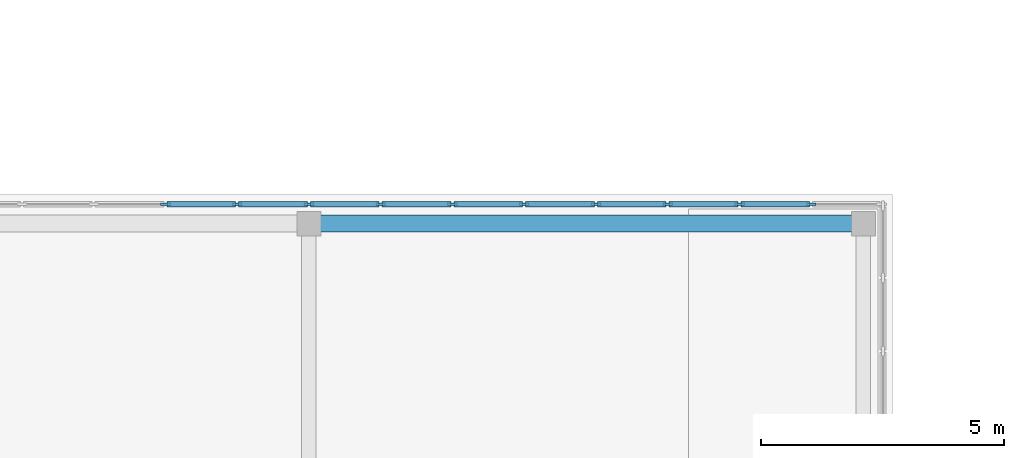
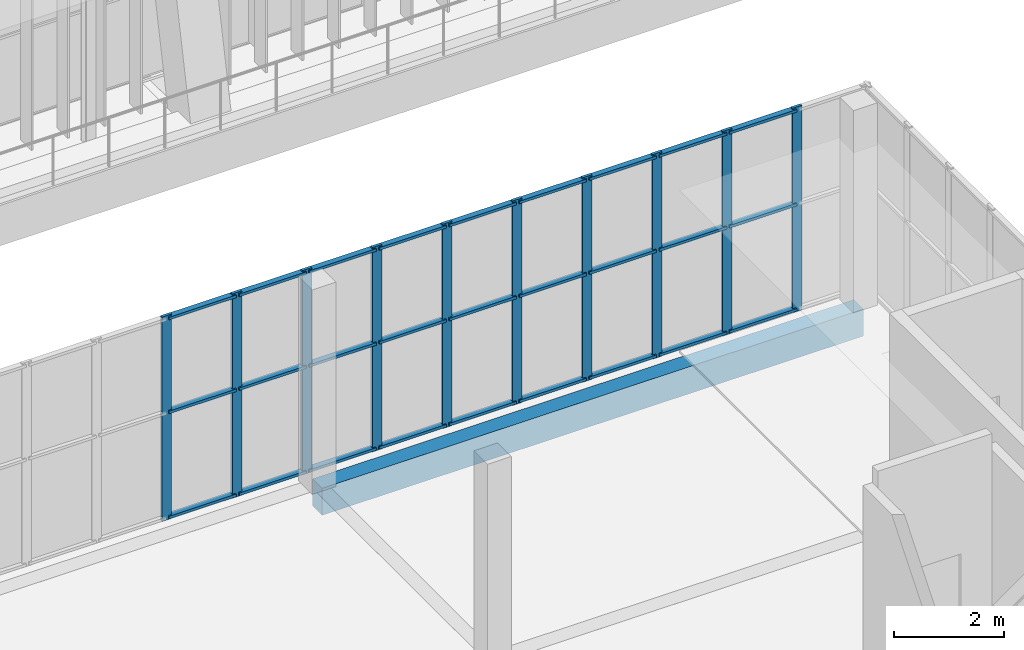
# One storey, part 28 of 92: 37 members, 1 beam, 1 element without a shape of its own.
"""IFC4 building model written with IfcOpenShell, lengths in metres."""

from ifc_helpers import new_model, si_unit, direction, frame, origin, origin_2d, place, context, subcontext, project, spatial, rectangle, extrude, material, layer, layer_set, material_profile, profile_set, type_object, element, aggregate, save


model = new_model("IFC4")

# Units and contexts
model_context = context("Model", 3, precision=1e-05, world=origin(), true_north=direction((0.0, 1.0)))
body_context = subcontext(model_context, "Body", "Model", "MODEL_VIEW")
ifc_project = project(units=[si_unit("LENGTHUNIT", "METRE"), si_unit("AREAUNIT", "SQUARE_METRE"), si_unit("VOLUMEUNIT", "CUBIC_METRE"), si_unit("PLANEANGLEUNIT", "RADIAN"), si_unit("MASSUNIT", "GRAM", prefix="KILO")], contexts=[model_context])

# Site, building, storey
site_placement = place(None, origin())
site = spatial("IfcSite", under=ifc_project, at=site_placement, CompositionType="ELEMENT")
building_placement = place(site_placement, origin())
building = spatial("IfcBuilding", under=site, at=building_placement, Name="Lantern Court Media Centre", CompositionType="ELEMENT")
storey_placement = place(building_placement, frame((0.0, 0.0, 4.800048828125)))
storey = spatial("IfcBuildingStorey", under=building, at=storey_placement, Name="L01", CompositionType="ELEMENT", Elevation=4.800048828125)

# Curtain wall, members
ifc_material_1 = material(Name="Aluminium and glass", Category="aluminium")
ifc_layer = layer(ifc_material_1, 0.14990234375)
ifc_layer_set = layer_set([ifc_layer], Name="Aluminium and glass")
curtain_wall_type = type_object("IfcCurtainWallType", Name="Hall lancet glazing", PredefinedType="NOTDEFINED", material=ifc_layer_set)
curtain_wall_placement = place(storey_placement, origin())
curtain_wall = element("IfcCurtainWall", 1, at=curtain_wall_placement, inside=storey, type_object=curtain_wall_type, Name="Press box glazing N 3", PredefinedType="NOTDEFINED")
ifc_material_2 = material(Name="Aluminium, anodised", Category="aluminium")
ifc_material_profile_1 = material_profile(ifc_material_2, rectangle(XDim=0.06005859375, YDim=0.199951171875, at=origin_2d()), Name="HM")
ifc_profile_set_1 = profile_set([ifc_material_profile_1], Name="Aluminium, anodised")
member_type_1 = type_object("IfcMemberType", Name="HM", PredefinedType="MULLION", material=ifc_profile_set_1)
member_1_placement = place(storey_placement, frame((49.050048828125, 86.800048828125, 0.0), z_axis=(0.0, 0.0, 1.0), x_axis=(0.0, 1.0, 0.0)))
member_1 = element("IfcMember", 2, at=member_1_placement, type_object=member_type_1, Name="HCW-PN3 mullion 7", PredefinedType="MULLION", context=body_context, shape_type="SweptSolid", body=[
    extrude(rectangle(XDim=0.06005859375, YDim=0.199951171875, at=origin_2d()), origin(), (0.0, 0.0, 1.0), 4.550048828125),
])
member_2_placement = place(storey_placement, frame((50.52490234375, 86.800048828125, 0.0), z_axis=(0.0, 0.0, 1.0), x_axis=(0.0, 1.0, 0.0)))
member_2 = element("IfcMember", 3, at=member_2_placement, type_object=member_type_1, Name="HCW-PN3 mullion 8", PredefinedType="MULLION", context=body_context, shape_type="SweptSolid", body=[
    extrude(rectangle(XDim=0.06005859375, YDim=0.199951171875, at=origin_2d()), origin(), (0.0, 0.0, 1.0), 4.550048828125),
])
member_3_placement = place(storey_placement, frame((52.0, 86.800048828125, 0.0), z_axis=(0.0, 0.0, 1.0), x_axis=(0.0, 1.0, 0.0)))
member_3 = element("IfcMember", 4, at=member_3_placement, type_object=member_type_1, Name="HCW-PN3 mullion 9", PredefinedType="MULLION", context=body_context, shape_type="SweptSolid", body=[
    extrude(rectangle(XDim=0.06005859375, YDim=0.199951171875, at=origin_2d()), origin(), (0.0, 0.0, 1.0), 4.550048828125),
])
member_4_placement = place(storey_placement, frame((53.47509765625, 86.800048828125, 0.0), z_axis=(0.0, 0.0, 1.0), x_axis=(0.0, 1.0, 0.0)))
member_4 = element("IfcMember", 5, at=member_4_placement, type_object=member_type_1, Name="HCW-PN3 mullion 10", PredefinedType="MULLION", context=body_context, shape_type="SweptSolid", body=[
    extrude(rectangle(XDim=0.06005859375, YDim=0.199951171875, at=origin_2d()), origin(), (0.0, 0.0, 1.0), 4.550048828125),
])
member_5_placement = place(storey_placement, frame((54.949951171875, 86.800048828125, 0.0), z_axis=(0.0, 0.0, 1.0), x_axis=(0.0, 1.0, 0.0)))
member_5 = element("IfcMember", 6, at=member_5_placement, type_object=member_type_1, Name="HCW-PN3 mullion 11", PredefinedType="MULLION", context=body_context, shape_type="SweptSolid", body=[
    extrude(rectangle(XDim=0.06005859375, YDim=0.199951171875, at=origin_2d()), origin(), (0.0, 0.0, 1.0), 4.550048828125),
])
member_6_placement = place(storey_placement, frame((56.425048828125, 86.800048828125, 0.0), z_axis=(0.0, 0.0, 1.0), x_axis=(0.0, 1.0, 0.0)))
member_6 = element("IfcMember", 7, at=member_6_placement, type_object=member_type_1, Name="HCW-PN3 mullion 12", PredefinedType="MULLION", context=body_context, shape_type="SweptSolid", body=[
    extrude(rectangle(XDim=0.06005859375, YDim=0.199951171875, at=origin_2d()), origin(), (0.0, 0.0, 1.0), 4.550048828125),
])
member_7_placement = place(storey_placement, frame((57.89990234375, 86.800048828125, 0.0), z_axis=(0.0, 0.0, 1.0), x_axis=(0.0, 1.0, 0.0)))
member_7 = element("IfcMember", 8, at=member_7_placement, type_object=member_type_1, Name="HCW-PN3 mullion 13", PredefinedType="MULLION", context=body_context, shape_type="SweptSolid", body=[
    extrude(rectangle(XDim=0.06005859375, YDim=0.199951171875, at=origin_2d()), origin(), (0.0, 0.0, 1.0), 4.550048828125),
])
member_8_placement = place(storey_placement, frame((59.375, 86.800048828125, 0.0), z_axis=(0.0, 0.0, 1.0), x_axis=(0.0, 1.0, 0.0)))
member_8 = element("IfcMember", 9, at=member_8_placement, type_object=member_type_1, Name="HCW-PN3 mullion 14", PredefinedType="MULLION", context=body_context, shape_type="SweptSolid", body=[
    extrude(rectangle(XDim=0.06005859375, YDim=0.199951171875, at=origin_2d()), origin(), (0.0, 0.0, 1.0), 4.550048828125),
])
member_9_placement = place(storey_placement, frame((60.85009765625, 86.800048828125, 0.0), z_axis=(0.0, 0.0, 1.0), x_axis=(0.0, 1.0, 0.0)))
member_9 = element("IfcMember", 10, at=member_9_placement, type_object=member_type_1, Name="HCW-PN3 mullion 15", PredefinedType="MULLION", context=body_context, shape_type="SweptSolid", body=[
    extrude(rectangle(XDim=0.06005859375, YDim=0.199951171875, at=origin_2d()), origin(), (0.0, 0.0, 1.0), 4.550048828125),
])
member_10_placement = place(storey_placement, frame((62.324951171875, 86.800048828125, 0.0), z_axis=(0.0, 0.0, 1.0), x_axis=(0.0, 1.0, 0.0)))
member_10 = element("IfcMember", 11, at=member_10_placement, type_object=member_type_1, Name="HCW-PN3 mullion 16", PredefinedType="MULLION", context=body_context, shape_type="SweptSolid", body=[
    extrude(rectangle(XDim=0.06005859375, YDim=0.199951171875, at=origin_2d()), origin(), (0.0, 0.0, 1.0), 4.550048828125),
])
ifc_material_profile_2 = material_profile(ifc_material_2, rectangle(XDim=0.1201171875, YDim=0.06005859375, at=origin_2d()), Name="HT")
ifc_profile_set_2 = profile_set([ifc_material_profile_2], Name="Aluminium, anodised")
member_type_2 = type_object("IfcMemberType", Name="HT", PredefinedType="USERDEFINED", material=ifc_profile_set_2)
member_11_placement = place(storey_placement, frame((49.080078125, 86.800048828125, 0.06005859375), z_axis=(1.0, 0.0, 0.0), x_axis=(0.0, 1.0, 0.0)))
member_11 = element("IfcMember", 12, at=member_11_placement, type_object=member_type_2, Name="HCW-PN3 transom 7.1", ObjectType="TRANSOM", PredefinedType="USERDEFINED", context=body_context, shape_type="SweptSolid", body=[
    extrude(rectangle(XDim=0.1201171875, YDim=0.06005859375, at=origin_2d()), origin(), (0.0, 0.0, 1.0), 1.4150390625),
])
member_12_placement = place(storey_placement, frame((49.080078125, 86.800048828125, 2.39990234375), z_axis=(1.0, 0.0, 0.0), x_axis=(0.0, 1.0, 0.0)))
member_12 = element("IfcMember", 13, at=member_12_placement, type_object=member_type_2, Name="HCW-PN3 transom 7.2", ObjectType="TRANSOM", PredefinedType="USERDEFINED", context=body_context, shape_type="SweptSolid", body=[
    extrude(rectangle(XDim=0.1201171875, YDim=0.06005859375, at=origin_2d()), origin(), (0.0, 0.0, 1.0), 1.4150390625),
])
member_13_placement = place(storey_placement, frame((49.080078125, 86.800048828125, 4.489990234375), z_axis=(1.0, 0.0, 0.0), x_axis=(0.0, 1.0, 0.0)))
member_13 = element("IfcMember", 14, at=member_13_placement, type_object=member_type_2, Name="HCW-PN3 transom 7.3", ObjectType="TRANSOM", PredefinedType="USERDEFINED", context=body_context, shape_type="SweptSolid", body=[
    extrude(rectangle(XDim=0.1201171875, YDim=0.06005859375, at=origin_2d()), origin(), (0.0, 0.0, 1.0), 1.4150390625),
])
member_14_placement = place(storey_placement, frame((50.554931640625, 86.800048828125, 0.06005859375), z_axis=(1.0, 0.0, 0.0), x_axis=(0.0, 1.0, 0.0)))
member_14 = element("IfcMember", 15, at=member_14_placement, type_object=member_type_2, Name="HCW-PN3 transom 8.1", ObjectType="TRANSOM", PredefinedType="USERDEFINED", context=body_context, shape_type="SweptSolid", body=[
    extrude(rectangle(XDim=0.1201171875, YDim=0.06005859375, at=origin_2d()), origin(), (0.0, 0.0, 1.0), 1.4150390625),
])
member_15_placement = place(storey_placement, frame((50.554931640625, 86.800048828125, 2.39990234375), z_axis=(1.0, 0.0, 0.0), x_axis=(0.0, 1.0, 0.0)))
member_15 = element("IfcMember", 16, at=member_15_placement, type_object=member_type_2, Name="HCW-PN3 transom 8.2", ObjectType="TRANSOM", PredefinedType="USERDEFINED", context=body_context, shape_type="SweptSolid", body=[
    extrude(rectangle(XDim=0.1201171875, YDim=0.06005859375, at=origin_2d()), origin(), (0.0, 0.0, 1.0), 1.4150390625),
])
member_16_placement = place(storey_placement, frame((50.554931640625, 86.800048828125, 4.489990234375), z_axis=(1.0, 0.0, 0.0), x_axis=(0.0, 1.0, 0.0)))
member_16 = element("IfcMember", 17, at=member_16_placement, type_object=member_type_2, Name="HCW-PN3 transom 8.3", ObjectType="TRANSOM", PredefinedType="USERDEFINED", context=body_context, shape_type="SweptSolid", body=[
    extrude(rectangle(XDim=0.1201171875, YDim=0.06005859375, at=origin_2d()), origin(), (0.0, 0.0, 1.0), 1.4150390625),
])
member_17_placement = place(storey_placement, frame((52.030029296875, 86.800048828125, 0.06005859375), z_axis=(1.0, 0.0, 0.0), x_axis=(0.0, 1.0, 0.0)))
member_17 = element("IfcMember", 18, at=member_17_placement, type_object=member_type_2, Name="HCW-PN3 transom 9.1", ObjectType="TRANSOM", PredefinedType="USERDEFINED", context=body_context, shape_type="SweptSolid", body=[
    extrude(rectangle(XDim=0.1201171875, YDim=0.06005859375, at=origin_2d()), origin(), (0.0, 0.0, 1.0), 1.4150390625),
])
member_18_placement = place(storey_placement, frame((52.030029296875, 86.800048828125, 2.39990234375), z_axis=(1.0, 0.0, 0.0), x_axis=(0.0, 1.0, 0.0)))
member_18 = element("IfcMember", 19, at=member_18_placement, type_object=member_type_2, Name="HCW-PN3 transom 9.2", ObjectType="TRANSOM", PredefinedType="USERDEFINED", context=body_context, shape_type="SweptSolid", body=[
    extrude(rectangle(XDim=0.1201171875, YDim=0.06005859375, at=origin_2d()), origin(), (0.0, 0.0, 1.0), 1.4150390625),
])
member_19_placement = place(storey_placement, frame((52.030029296875, 86.800048828125, 4.489990234375), z_axis=(1.0, 0.0, 0.0), x_axis=(0.0, 1.0, 0.0)))
member_19 = element("IfcMember", 20, at=member_19_placement, type_object=member_type_2, Name="HCW-PN3 transom 9.3", ObjectType="TRANSOM", PredefinedType="USERDEFINED", context=body_context, shape_type="SweptSolid", body=[
    extrude(rectangle(XDim=0.1201171875, YDim=0.06005859375, at=origin_2d()), origin(), (0.0, 0.0, 1.0), 1.4150390625),
])
member_20_placement = place(storey_placement, frame((53.5048828125, 86.800048828125, 0.06005859375), z_axis=(1.0, 0.0, 0.0), x_axis=(0.0, 1.0, 0.0)))
member_20 = element("IfcMember", 21, at=member_20_placement, type_object=member_type_2, Name="HCW-PN3 transom 10.1", ObjectType="TRANSOM", PredefinedType="USERDEFINED", context=body_context, shape_type="SweptSolid", body=[
    extrude(rectangle(XDim=0.1201171875, YDim=0.06005859375, at=origin_2d()), origin(), (0.0, 0.0, 1.0), 1.4150390625),
])
member_21_placement = place(storey_placement, frame((53.5048828125, 86.800048828125, 2.39990234375), z_axis=(1.0, 0.0, 0.0), x_axis=(0.0, 1.0, 0.0)))
member_21 = element("IfcMember", 22, at=member_21_placement, type_object=member_type_2, Name="HCW-PN3 transom 10.2", ObjectType="TRANSOM", PredefinedType="USERDEFINED", context=body_context, shape_type="SweptSolid", body=[
    extrude(rectangle(XDim=0.1201171875, YDim=0.06005859375, at=origin_2d()), origin(), (0.0, 0.0, 1.0), 1.4150390625),
])
member_22_placement = place(storey_placement, frame((53.5048828125, 86.800048828125, 4.489990234375), z_axis=(1.0, 0.0, 0.0), x_axis=(0.0, 1.0, 0.0)))
member_22 = element("IfcMember", 23, at=member_22_placement, type_object=member_type_2, Name="HCW-PN3 transom 10.3", ObjectType="TRANSOM", PredefinedType="USERDEFINED", context=body_context, shape_type="SweptSolid", body=[
    extrude(rectangle(XDim=0.1201171875, YDim=0.06005859375, at=origin_2d()), origin(), (0.0, 0.0, 1.0), 1.4150390625),
])
member_23_placement = place(storey_placement, frame((54.97998046875, 86.800048828125, 0.06005859375), z_axis=(1.0, 0.0, 0.0), x_axis=(0.0, 1.0, 0.0)))
member_23 = element("IfcMember", 24, at=member_23_placement, type_object=member_type_2, Name="HCW-PN3 transom 11.1", ObjectType="TRANSOM", PredefinedType="USERDEFINED", context=body_context, shape_type="SweptSolid", body=[
    extrude(rectangle(XDim=0.1201171875, YDim=0.06005859375, at=origin_2d()), origin(), (0.0, 0.0, 1.0), 1.4150390625),
])
member_24_placement = place(storey_placement, frame((54.97998046875, 86.800048828125, 2.39990234375), z_axis=(1.0, 0.0, 0.0), x_axis=(0.0, 1.0, 0.0)))
member_24 = element("IfcMember", 25, at=member_24_placement, type_object=member_type_2, Name="HCW-PN3 transom 11.2", ObjectType="TRANSOM", PredefinedType="USERDEFINED", context=body_context, shape_type="SweptSolid", body=[
    extrude(rectangle(XDim=0.1201171875, YDim=0.06005859375, at=origin_2d()), origin(), (0.0, 0.0, 1.0), 1.4150390625),
])
member_25_placement = place(storey_placement, frame((54.97998046875, 86.800048828125, 4.489990234375), z_axis=(1.0, 0.0, 0.0), x_axis=(0.0, 1.0, 0.0)))
member_25 = element("IfcMember", 26, at=member_25_placement, type_object=member_type_2, Name="HCW-PN3 transom 11.3", ObjectType="TRANSOM", PredefinedType="USERDEFINED", context=body_context, shape_type="SweptSolid", body=[
    extrude(rectangle(XDim=0.1201171875, YDim=0.06005859375, at=origin_2d()), origin(), (0.0, 0.0, 1.0), 1.4150390625),
])
member_26_placement = place(storey_placement, frame((56.455078125, 86.800048828125, 0.06005859375), z_axis=(1.0, 0.0, 0.0), x_axis=(0.0, 1.0, 0.0)))
member_26 = element("IfcMember", 27, at=member_26_placement, type_object=member_type_2, Name="HCW-PN3 transom 12.1", ObjectType="TRANSOM", PredefinedType="USERDEFINED", context=body_context, shape_type="SweptSolid", body=[
    extrude(rectangle(XDim=0.1201171875, YDim=0.06005859375, at=origin_2d()), origin(), (0.0, 0.0, 1.0), 1.4150390625),
])
member_27_placement = place(storey_placement, frame((56.455078125, 86.800048828125, 2.39990234375), z_axis=(1.0, 0.0, 0.0), x_axis=(0.0, 1.0, 0.0)))
member_27 = element("IfcMember", 28, at=member_27_placement, type_object=member_type_2, Name="HCW-PN3 transom 12.2", ObjectType="TRANSOM", PredefinedType="USERDEFINED", context=body_context, shape_type="SweptSolid", body=[
    extrude(rectangle(XDim=0.1201171875, YDim=0.06005859375, at=origin_2d()), origin(), (0.0, 0.0, 1.0), 1.4150390625),
])
member_28_placement = place(storey_placement, frame((56.455078125, 86.800048828125, 4.489990234375), z_axis=(1.0, 0.0, 0.0), x_axis=(0.0, 1.0, 0.0)))
member_28 = element("IfcMember", 29, at=member_28_placement, type_object=member_type_2, Name="HCW-PN3 transom 12.3", ObjectType="TRANSOM", PredefinedType="USERDEFINED", context=body_context, shape_type="SweptSolid", body=[
    extrude(rectangle(XDim=0.1201171875, YDim=0.06005859375, at=origin_2d()), origin(), (0.0, 0.0, 1.0), 1.4150390625),
])
member_29_placement = place(storey_placement, frame((57.929931640625, 86.800048828125, 0.06005859375), z_axis=(1.0, 0.0, 0.0), x_axis=(0.0, 1.0, 0.0)))
member_29 = element("IfcMember", 30, at=member_29_placement, type_object=member_type_2, Name="HCW-PN3 transom 13.1", ObjectType="TRANSOM", PredefinedType="USERDEFINED", context=body_context, shape_type="SweptSolid", body=[
    extrude(rectangle(XDim=0.1201171875, YDim=0.06005859375, at=origin_2d()), origin(), (0.0, 0.0, 1.0), 1.4150390625),
])
member_30_placement = place(storey_placement, frame((57.929931640625, 86.800048828125, 2.39990234375), z_axis=(1.0, 0.0, 0.0), x_axis=(0.0, 1.0, 0.0)))
member_30 = element("IfcMember", 31, at=member_30_placement, type_object=member_type_2, Name="HCW-PN3 transom 13.2", ObjectType="TRANSOM", PredefinedType="USERDEFINED", context=body_context, shape_type="SweptSolid", body=[
    extrude(rectangle(XDim=0.1201171875, YDim=0.06005859375, at=origin_2d()), origin(), (0.0, 0.0, 1.0), 1.4150390625),
])
member_31_placement = place(storey_placement, frame((57.929931640625, 86.800048828125, 4.489990234375), z_axis=(1.0, 0.0, 0.0), x_axis=(0.0, 1.0, 0.0)))
member_31 = element("IfcMember", 32, at=member_31_placement, type_object=member_type_2, Name="HCW-PN3 transom 13.3", ObjectType="TRANSOM", PredefinedType="USERDEFINED", context=body_context, shape_type="SweptSolid", body=[
    extrude(rectangle(XDim=0.1201171875, YDim=0.06005859375, at=origin_2d()), origin(), (0.0, 0.0, 1.0), 1.4150390625),
])
member_32_placement = place(storey_placement, frame((59.405029296875, 86.800048828125, 0.06005859375), z_axis=(1.0, 0.0, 0.0), x_axis=(0.0, 1.0, 0.0)))
member_32 = element("IfcMember", 33, at=member_32_placement, type_object=member_type_2, Name="HCW-PN3 transom 14.1", ObjectType="TRANSOM", PredefinedType="USERDEFINED", context=body_context, shape_type="SweptSolid", body=[
    extrude(rectangle(XDim=0.1201171875, YDim=0.06005859375, at=origin_2d()), origin(), (0.0, 0.0, 1.0), 1.4150390625),
])
member_33_placement = place(storey_placement, frame((59.405029296875, 86.800048828125, 2.39990234375), z_axis=(1.0, 0.0, 0.0), x_axis=(0.0, 1.0, 0.0)))
member_33 = element("IfcMember", 34, at=member_33_placement, type_object=member_type_2, Name="HCW-PN3 transom 14.2", ObjectType="TRANSOM", PredefinedType="USERDEFINED", context=body_context, shape_type="SweptSolid", body=[
    extrude(rectangle(XDim=0.1201171875, YDim=0.06005859375, at=origin_2d()), origin(), (0.0, 0.0, 1.0), 1.4150390625),
])
member_34_placement = place(storey_placement, frame((59.405029296875, 86.800048828125, 4.489990234375), z_axis=(1.0, 0.0, 0.0), x_axis=(0.0, 1.0, 0.0)))
member_34 = element("IfcMember", 35, at=member_34_placement, type_object=member_type_2, Name="HCW-PN3 transom 14.3", ObjectType="TRANSOM", PredefinedType="USERDEFINED", context=body_context, shape_type="SweptSolid", body=[
    extrude(rectangle(XDim=0.1201171875, YDim=0.06005859375, at=origin_2d()), origin(), (0.0, 0.0, 1.0), 1.4150390625),
])
member_35_placement = place(storey_placement, frame((60.8798828125, 86.800048828125, 0.06005859375), z_axis=(1.0, 0.0, 0.0), x_axis=(0.0, 1.0, 0.0)))
member_35 = element("IfcMember", 36, at=member_35_placement, type_object=member_type_2, Name="HCW-PN3 transom 15.1", ObjectType="TRANSOM", PredefinedType="USERDEFINED", context=body_context, shape_type="SweptSolid", body=[
    extrude(rectangle(XDim=0.1201171875, YDim=0.06005859375, at=origin_2d()), origin(), (0.0, 0.0, 1.0), 1.4150390625),
])
member_36_placement = place(storey_placement, frame((60.8798828125, 86.800048828125, 2.39990234375), z_axis=(1.0, 0.0, 0.0), x_axis=(0.0, 1.0, 0.0)))
member_36 = element("IfcMember", 37, at=member_36_placement, type_object=member_type_2, Name="HCW-PN3 transom 15.2", ObjectType="TRANSOM", PredefinedType="USERDEFINED", context=body_context, shape_type="SweptSolid", body=[
    extrude(rectangle(XDim=0.1201171875, YDim=0.06005859375, at=origin_2d()), origin(), (0.0, 0.0, 1.0), 1.4150390625),
])
member_37_placement = place(storey_placement, frame((60.8798828125, 86.800048828125, 4.489990234375), z_axis=(1.0, 0.0, 0.0), x_axis=(0.0, 1.0, 0.0)))
member_37 = element("IfcMember", 38, at=member_37_placement, type_object=member_type_2, Name="HCW-PN3 transom 15.3", ObjectType="TRANSOM", PredefinedType="USERDEFINED", context=body_context, shape_type="SweptSolid", body=[
    extrude(rectangle(XDim=0.1201171875, YDim=0.06005859375, at=origin_2d()), origin(), (0.0, 0.0, 1.0), 1.4150390625),
])
aggregate(curtain_wall, [member_1, member_2, member_3, member_4, member_5, member_6, member_7, member_8, member_9, member_10, member_11, member_12, member_13, member_14, member_15, member_16, member_17, member_18, member_19, member_20, member_21, member_22, member_23, member_24, member_25, member_26, member_27, member_28, member_29, member_30, member_31, member_32, member_33, member_34, member_35, member_36, member_37])

# Beam
ifc_material_3 = material(Name="Concrete C35", Category="concrete")
ifc_material_profile_3 = material_profile(ifc_material_3, rectangle(XDim=0.35009765625, YDim=0.60009765625, at=origin_2d()), Name="RC 350x600")
ifc_profile_set_3 = profile_set([ifc_material_profile_3], Name="Concrete C35")
beam_type = type_object("IfcBeamType", Name="RC BEAM 350x600", PredefinedType="BEAM", material=ifc_profile_set_3)
beam_placement = place(storey_placement, frame((52.0, 86.39990234375, -0.300048828125), z_axis=(1.0, 0.0, 0.0), x_axis=(0.0, 1.0, 0.0)))
element("IfcBeam", 39, at=beam_placement, inside=storey, type_object=beam_type, Name="PB-PRESS-L01-X2-1", PredefinedType="BEAM", context=body_context, shape_type="SweptSolid", body=[
    extrude(rectangle(XDim=0.35009765625, YDim=0.60009765625, at=origin_2d()), origin(), (0.0, 0.0, 1.0), 11.39990234375),
])

save(model, "model.ifc")
